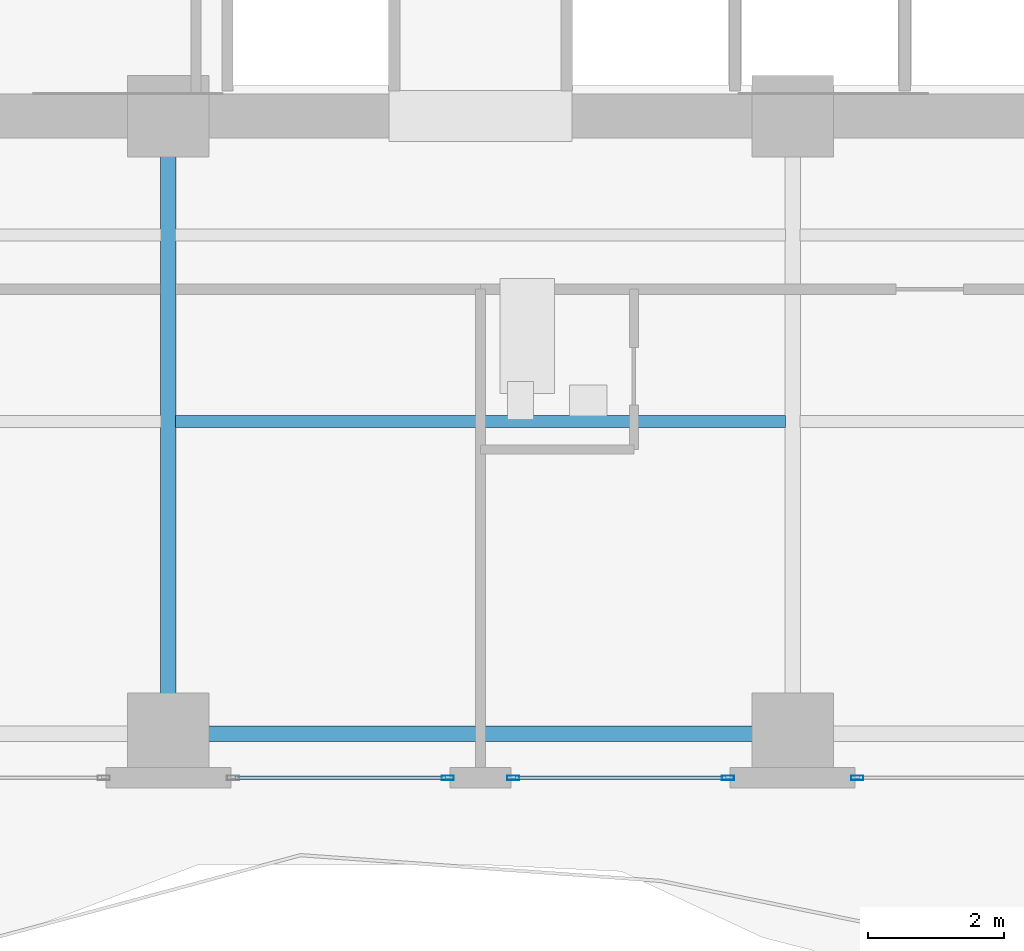
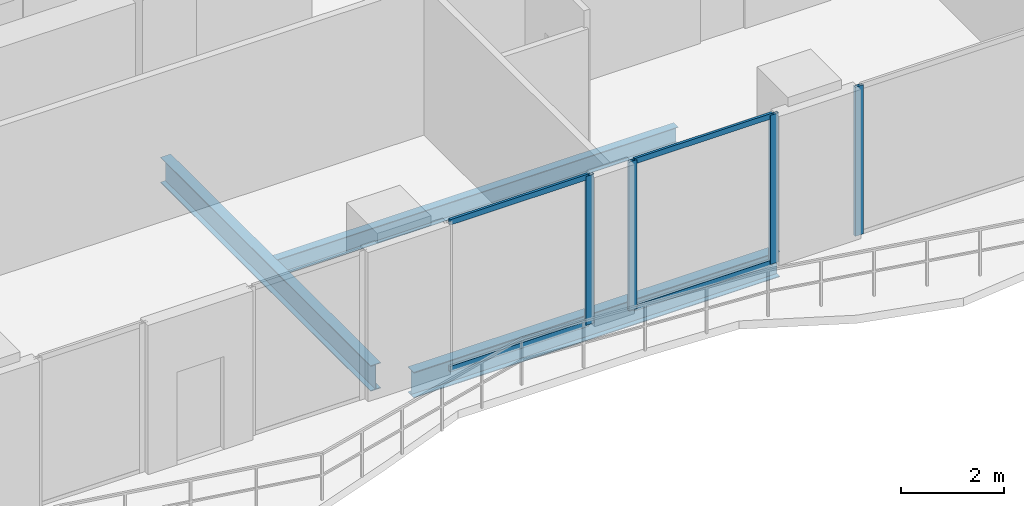
# One storey, part 6 of 32: 8 members, 3 beams, 3 elements without a shape of their own.
"""IFC4 building model written with IfcOpenShell, lengths in metres."""

from ifc_helpers import new_model, si_unit, direction, frame, origin, origin_2d, place, context, subcontext, project, spatial, hollow_rectangle, i_section, extrude, material, layer, layer_set, material_profile, profile_set, type_object, element, aggregate, save


model = new_model("IFC4")

# Units and contexts
model_context = context("Model", 3, precision=1e-05, world=origin(), true_north=direction((0.0, 1.0)))
body_context = subcontext(model_context, "Body", "Model", "MODEL_VIEW")
ifc_project = project(units=[si_unit("LENGTHUNIT", "METRE"), si_unit("AREAUNIT", "SQUARE_METRE"), si_unit("VOLUMEUNIT", "CUBIC_METRE"), si_unit("PLANEANGLEUNIT", "RADIAN"), si_unit("MASSUNIT", "GRAM", prefix="KILO")], contexts=[model_context])

# Site, building, storey
site_placement = place(None, origin())
site = spatial("IfcSite", under=ifc_project, at=site_placement, CompositionType="ELEMENT")
building_placement = place(site_placement, origin())
building = spatial("IfcBuilding", under=site, at=building_placement, Name="Zuhayl Quay Hotel", CompositionType="ELEMENT")
storey_placement = place(building_placement, frame((0.0, 0.0, 218.64990234375)))
storey = spatial("IfcBuildingStorey", under=building, at=storey_placement, Name="L55", CompositionType="ELEMENT", Elevation=218.64990234375)

# Beams
ifc_material_1 = material(Name="Steel ASTM A992 Grade 50", Category="steel")
ifc_material_profile_1 = material_profile(ifc_material_1, i_section(OverallWidth=0.22802734375, OverallDepth=0.60693359375, WebThickness=0.01123046875, FlangeThickness=0.017333984375, at=origin_2d()), Name="W24X76")
ifc_profile_set_1 = profile_set([ifc_material_profile_1], Name="Steel ASTM A992 Grade 50")
beam_type_1 = type_object("IfcBeamType", Name="BM_B3_W24X76", PredefinedType="BEAM", material=ifc_profile_set_1)
beam_1_placement = place(storey_placement, frame((-4.10009765625, -6.949951171875, -0.5234375), z_axis=(1.0, 0.0, 0.0), x_axis=(0.0, 1.0, 0.0)))
element("IfcBeam", 1, at=beam_1_placement, inside=storey, type_object=beam_type_1, Name="L55 Floor Beam RG_L55_02", PredefinedType="BEAM", context=body_context, shape_type="SweptSolid", body=[
    extrude(i_section(OverallWidth=0.22802734375, OverallDepth=0.60693359375, WebThickness=0.01123046875, FlangeThickness=0.017333984375, at=origin_2d()), origin(), (0.0, 0.0, 1.0), 8.2001953125),
])
beam_2_placement = place(storey_placement, frame((-4.60009765625, -6.449951171875, -0.5234375), z_axis=(0.0, 1.0, 0.0), x_axis=(-1.0, 0.0, 0.0)))
element("IfcBeam", 2, at=beam_2_placement, inside=storey, type_object=beam_type_1, Name="L55 Floor Beam FG_S_L55_2", PredefinedType="BEAM", context=body_context, shape_type="SweptSolid", body=[
    extrude(i_section(OverallWidth=0.22802734375, OverallDepth=0.60693359375, WebThickness=0.01123046875, FlangeThickness=0.017333984375, at=origin_2d()), origin(), (0.0, 0.0, 1.0), 8.14990234375),
])
ifc_material_profile_2 = material_profile(ifc_material_1, i_section(OverallWidth=0.177978515625, OverallDepth=0.406005859375, WebThickness=0.0078125, FlangeThickness=0.0126953125, at=origin_2d()), Name="W16X40")
ifc_profile_set_2 = profile_set([ifc_material_profile_2], Name="Steel ASTM A992 Grade 50")
beam_type_2 = type_object("IfcBeamType", Name="BM_J2B_W16X40", PredefinedType="JOIST", material=ifc_profile_set_2)
beam_3_placement = place(storey_placement, frame((-4.493896484375, -2.35009765625, -0.4228515625), z_axis=(1.0, 0.0, 0.0), x_axis=(0.0, 1.0, 0.0)))
element("IfcBeam", 3, at=beam_3_placement, inside=storey, type_object=beam_type_2, Name="L55 Floor Beam FJ_L55_7_2", PredefinedType="JOIST", context=body_context, shape_type="SweptSolid", body=[
    extrude(i_section(OverallWidth=0.177978515625, OverallDepth=0.406005859375, WebThickness=0.0078125, FlangeThickness=0.0126953125, at=origin_2d()), origin(), (0.0, 0.0, 1.0), 8.98779296875),
])

# Curtain wall, member
ifc_material_2 = material(Name="Anodised Aluminium 6063-T6", Category="aluminium")
ifc_layer = layer(ifc_material_2, 0.175048828125, Name="Anodised Aluminium 6063-T6", Category="aluminium")
ifc_layer_set = layer_set([ifc_layer], Name="Anodised Aluminium 6063-T6")
curtain_wall_type = type_object("IfcCurtainWallType", Name="CW_SYS_Z3", PredefinedType="USERDEFINED", material=ifc_layer_set)
curtain_wall_1_placement = place(storey_placement, origin())
curtain_wall_1 = element("IfcCurtainWall", 4, at=curtain_wall_1_placement, inside=storey, type_object=curtain_wall_type, Name="L55 Curtain Wall ENV_L55_S_CW2", ObjectType="UNITISED CURTAIN WALL", PredefinedType="USERDEFINED")
ifc_material_3 = material(Name="Black-anodised aluminium 6063-T6", Category="aluminium")
ifc_material_profile_3 = material_profile(ifc_material_3, hollow_rectangle(XDim=0.06494140625, YDim=0.179931640625, WallThickness=0.00341796875, at=origin_2d()), Name="ALU180X65")
ifc_profile_set_3 = profile_set([ifc_material_profile_3], Name="Black-anodised aluminium 6063-T6")
member_type_1 = type_object("IfcMemberType", Name="MB_CW_MUL_180", PredefinedType="MULLION", material=ifc_profile_set_3)
member_1_placement = place(storey_placement, frame((5.552490234375, -7.60009765625, 0.0), z_axis=(0.0, 0.0, 1.0), x_axis=(0.0, -1.0, 0.0)))
member_1 = element("IfcMember", 5, at=member_1_placement, type_object=member_type_1, Name="CW-Z3 mullion 2", PredefinedType="MULLION", context=body_context, shape_type="SweptSolid", body=[
    extrude(hollow_rectangle(XDim=0.06494140625, YDim=0.179931640625, WallThickness=0.00341796875, at=origin_2d()), origin(), (0.0, 0.0, 1.0), 3.530029296875),
])
aggregate(curtain_wall_1, [member_1])

# Curtain wall, members
curtain_wall_2_placement = place(storey_placement, origin())
curtain_wall_2 = element("IfcCurtainWall", 6, at=curtain_wall_2_placement, inside=storey, type_object=curtain_wall_type, Name="L55 Curtain Wall ENV_L55_S_CW3", ObjectType="UNITISED CURTAIN WALL", PredefinedType="USERDEFINED")
member_2_placement = place(storey_placement, frame((3.6474609375, -7.60009765625, 0.0), z_axis=(0.0, 0.0, 1.0), x_axis=(0.0, -1.0, 0.0)))
member_2 = element("IfcMember", 7, at=member_2_placement, type_object=member_type_1, Name="CW-Z3 mullion 1", PredefinedType="MULLION", context=body_context, shape_type="SweptSolid", body=[
    extrude(hollow_rectangle(XDim=0.06494140625, YDim=0.179931640625, WallThickness=0.00341796875, at=origin_2d()), origin(), (0.0, 0.0, 1.0), 3.530029296875),
])
member_3_placement = place(storey_placement, frame((0.482421875, -7.60009765625, 0.0), z_axis=(0.0, 0.0, 1.0), x_axis=(0.0, -1.0, 0.0)))
member_3 = element("IfcMember", 8, at=member_3_placement, type_object=member_type_1, Name="CW-Z3 mullion 2", PredefinedType="MULLION", context=body_context, shape_type="SweptSolid", body=[
    extrude(hollow_rectangle(XDim=0.06494140625, YDim=0.179931640625, WallThickness=0.00341796875, at=origin_2d()), origin(), (0.0, 0.0, 1.0), 3.530029296875),
])

# Curtain wall, member
curtain_wall_3_placement = place(storey_placement, origin())
curtain_wall_3 = element("IfcCurtainWall", 9, at=curtain_wall_3_placement, inside=storey, type_object=curtain_wall_type, Name="L55 Curtain Wall ENV_L55_S_CW4", ObjectType="UNITISED CURTAIN WALL", PredefinedType="USERDEFINED")
member_4_placement = place(storey_placement, frame((-0.482421875, -7.60009765625, 0.0), z_axis=(0.0, 0.0, 1.0), x_axis=(0.0, -1.0, 0.0)))
member_4 = element("IfcMember", 10, at=member_4_placement, type_object=member_type_1, Name="CW-Z3 mullion 1", PredefinedType="MULLION", context=body_context, shape_type="SweptSolid", body=[
    extrude(hollow_rectangle(XDim=0.06494140625, YDim=0.179931640625, WallThickness=0.00341796875, at=origin_2d()), origin(), (0.0, 0.0, 1.0), 3.530029296875),
])

# Member
ifc_material_profile_4 = material_profile(ifc_material_3, hollow_rectangle(XDim=0.054931640625, YDim=0.1298828125, WallThickness=0.0029296875, at=origin_2d()), Name="ALU130X55")
ifc_profile_set_4 = profile_set([ifc_material_profile_4], Name="Black-anodised aluminium 6063-T6")
member_type_2 = type_object("IfcMemberType", Name="MB_CW_TRN_130", PredefinedType="USERDEFINED", material=ifc_profile_set_4)
member_5_placement = place(storey_placement, frame((3.614990234375, -7.60009765625, 0.027587890625), z_axis=(-1.0, 0.0, 0.0), x_axis=(0.0, -1.0, 0.0)))
member_5 = element("IfcMember", 11, at=member_5_placement, type_object=member_type_2, Name="CW-Z3 transom 1.1", ObjectType="TRANSOM", PredefinedType="USERDEFINED", context=body_context, shape_type="SweptSolid", body=[
    extrude(hollow_rectangle(XDim=0.054931640625, YDim=0.1298828125, WallThickness=0.0029296875, at=origin_2d()), origin(), (0.0, 0.0, 1.0), 3.10009765625),
])

member_6_placement = place(storey_placement, frame((3.614990234375, -7.60009765625, 3.502685546875), z_axis=(-1.0, 0.0, 0.0), x_axis=(0.0, -1.0, 0.0)))
member_6 = element("IfcMember", 12, at=member_6_placement, type_object=member_type_2, Name="CW-Z3 transom 1.2", ObjectType="TRANSOM", PredefinedType="USERDEFINED", context=body_context, shape_type="SweptSolid", body=[
    extrude(hollow_rectangle(XDim=0.054931640625, YDim=0.1298828125, WallThickness=0.0029296875, at=origin_2d()), origin(), (0.0, 0.0, 1.0), 3.10009765625),
])

aggregate(curtain_wall_2, [member_2, member_3, member_5, member_6])

member_7_placement = place(storey_placement, frame((-0.514892578125, -7.60009765625, 0.027587890625), z_axis=(-1.0, 0.0, 0.0), x_axis=(0.0, -1.0, 0.0)))
member_7 = element("IfcMember", 13, at=member_7_placement, type_object=member_type_2, Name="CW-Z3 transom 1.1", ObjectType="TRANSOM", PredefinedType="USERDEFINED", context=body_context, shape_type="SweptSolid", body=[
    extrude(hollow_rectangle(XDim=0.054931640625, YDim=0.1298828125, WallThickness=0.0029296875, at=origin_2d()), origin(), (0.0, 0.0, 1.0), 3.10009765625),
])

member_8_placement = place(storey_placement, frame((-0.514892578125, -7.60009765625, 3.502685546875), z_axis=(-1.0, 0.0, 0.0), x_axis=(0.0, -1.0, 0.0)))
member_8 = element("IfcMember", 14, at=member_8_placement, type_object=member_type_2, Name="CW-Z3 transom 1.2", ObjectType="TRANSOM", PredefinedType="USERDEFINED", context=body_context, shape_type="SweptSolid", body=[
    extrude(hollow_rectangle(XDim=0.054931640625, YDim=0.1298828125, WallThickness=0.0029296875, at=origin_2d()), origin(), (0.0, 0.0, 1.0), 3.10009765625),
])

aggregate(curtain_wall_3, [member_4, member_7, member_8])

save(model, "model.ifc")
